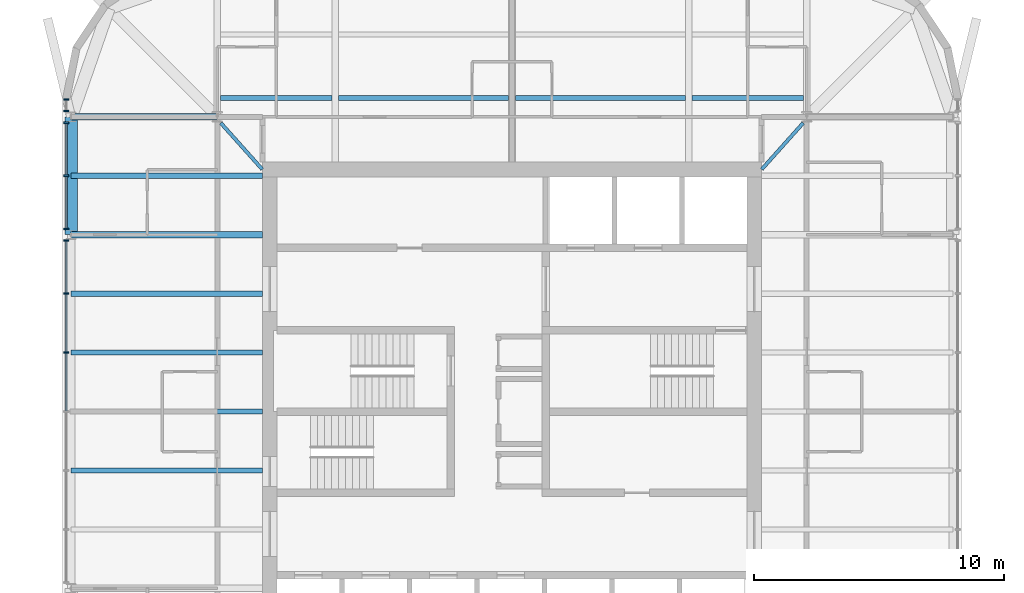
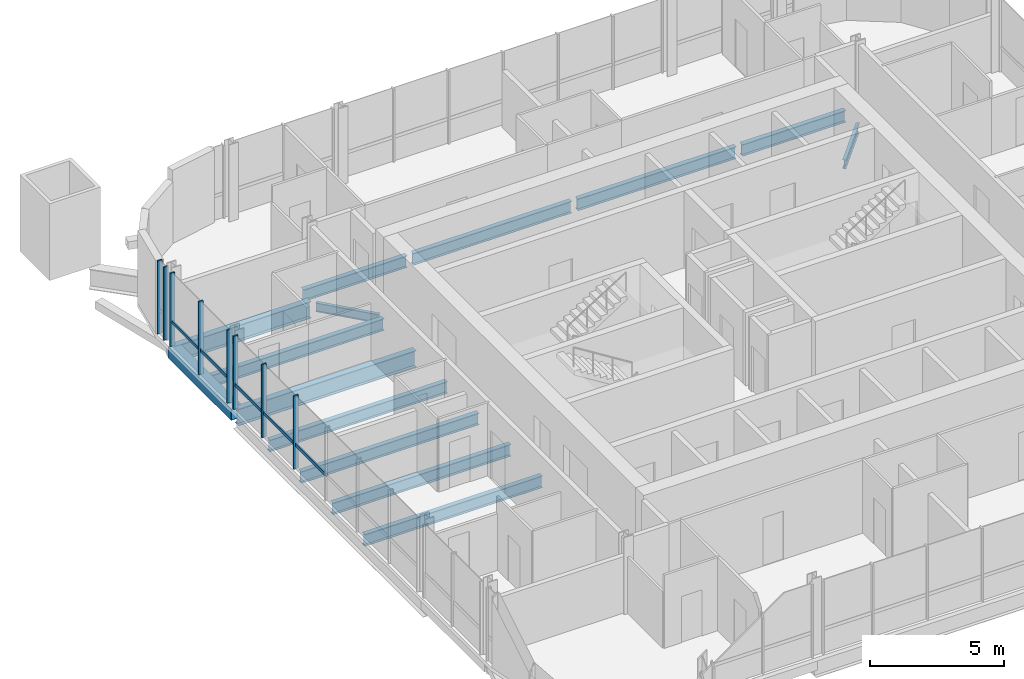
# One storey, part 3 of 16: 14 beams, 13 members, 3 elements without a shape of their own.
"""IFC4 building model written with IfcOpenShell, lengths in metres."""

import ifcopenshell
import ifcopenshell.guid

model = None  # the IFC model being written
_history = None  # IfcOwnerHistory: only IFC2X3 demands one
_inside = {}  # id of a spatial element -> (the spatial element, [elements in it])
_under = {}  # id of a project, library or spatial element -> (it, [spatial elements below it])
_declared = {}  # id of a project -> (the project, [libraries it declares])
_typed = {}  # id of a type object -> (the type object, [elements of that type])
_made_of = {}  # id of a material, layer set ... -> (it, [elements and type objects made of it])


def new_model(schema):
    """Start an empty IFC model of exactly this schema.

    Asked for "IFC4X3", IfcOpenShell would pick the latest addendum, in which some entities
    have other attributes; the version numbers below select the first issue.
    IFC2X3 requires an IfcOwnerHistory on every rooted entity: one is made here for all.
    """
    global model, _history
    if schema == "IFC4X3":
        model = ifcopenshell.file(schema_version=(4, 3, 0, 0))
    else:
        model = ifcopenshell.file(schema=schema)
    _inside.clear()
    _under.clear()
    _declared.clear()
    _typed.clear()
    _made_of.clear()
    _history = None
    if model.schema == "IFC2X3":
        org = make("IfcOrganization", Name="unknown")
        user = make(
            "IfcPersonAndOrganization",
            ThePerson=make("IfcPerson", FamilyName="unknown"),
            TheOrganization=org,
        )
        app = make(
            "IfcApplication",
            ApplicationDeveloper=org,
            Version="unknown",
            ApplicationFullName="unknown",
            ApplicationIdentifier="unknown",
        )
        _history = make(
            "IfcOwnerHistory",
            OwningUser=user,
            OwningApplication=app,
            ChangeAction="ADDED",
            CreationDate=0,
        )
    return model


def make(cls, **values):
    """One entity of the class cls with the attributes given. An attribute that is None is left unset."""
    return model.create_entity(
        cls, **{name: value for name, value in values.items() if value is not None}
    )


def rooted(cls, **values):
    """An entity with a GlobalId (a new one), such as an element, a storey or a relation."""
    return make(cls, GlobalId=ifcopenshell.guid.new(), OwnerHistory=_history, **values)


def si_unit(unit_type, name, prefix=None):
    """IfcSIUnit, for example si_unit("LENGTHUNIT", "METRE", prefix="MILLI")."""
    return make("IfcSIUnit", UnitType=unit_type, Prefix=prefix, Name=name)


def assignment(units):
    """IfcUnitAssignment: the units of a project."""
    return None if units is None else make("IfcUnitAssignment", Units=units)


def point(xyz):
    """IfcCartesianPoint."""
    return None if xyz is None else make("IfcCartesianPoint", Coordinates=xyz)


def direction(xyz):
    """IfcDirection."""
    return None if xyz is None else make("IfcDirection", DirectionRatios=xyz)


def frame(location, z_axis=None, x_axis=None):
    """IfcAxis2Placement3D, a coordinate frame: its origin and axes. An axis left out is left unset."""
    return make(
        "IfcAxis2Placement3D",
        Location=point(location),
        Axis=direction(z_axis),
        RefDirection=direction(x_axis),
    )


def frame_2d(location, x_axis=None):
    """IfcAxis2Placement2D, a coordinate frame in the plane: its origin and x axis."""
    return make(
        "IfcAxis2Placement2D", Location=point(location), RefDirection=direction(x_axis)
    )


def origin():
    """The frame at (0, 0, 0) with its axes left unset."""
    return frame((0.0, 0.0, 0.0))


def origin_2d():
    """The frame at (0, 0) in the plane with its x axis left unset."""
    return frame_2d((0.0, 0.0))


def place(relative_to, where):
    """IfcLocalPlacement: puts the frame where relative to a parent placement (None: the world)."""
    return make(
        "IfcLocalPlacement", PlacementRelTo=relative_to, RelativePlacement=where
    )


def context(
    kind, dimensions, precision=None, world=None, true_north=None, identifier=None
):
    """IfcGeometricRepresentationContext, for example the 3D "Model" context."""
    return make(
        "IfcGeometricRepresentationContext",
        ContextIdentifier=identifier,
        ContextType=kind,
        CoordinateSpaceDimension=dimensions,
        Precision=precision,
        WorldCoordinateSystem=world,
        TrueNorth=true_north,
    )


def subcontext(parent, identifier, kind, view, scale=None):
    """IfcGeometricRepresentationSubContext, for example "Body" below "Model"."""
    return make(
        "IfcGeometricRepresentationSubContext",
        ContextIdentifier=identifier,
        ContextType=kind,
        ParentContext=parent,
        TargetScale=scale,
        TargetView=view,
    )


def project(units=None, contexts=None):
    """IfcProject with its units and contexts."""
    return rooted(
        "IfcProject",
        Name="project",
        RepresentationContexts=contexts,
        UnitsInContext=assignment(units),
    )


def spatial(cls, under=None, at=None, **own):
    """A site, building, storey or space (cls), placed at a placement, below another one or the project."""
    s = rooted(cls, ObjectPlacement=at, **own)
    if under is not None:
        _under.setdefault(under.id(), (under, []))[1].append(s)
    return s


def profile(cls, at=None, kind="AREA", **sizes):
    """A parametric profile (cls). Its sizes go by their IFC names, for example OverallWidth=200.0."""
    return make(cls, ProfileType=kind, Position=at, **sizes)


def rectangle(**sizes):
    """IfcRectangleProfileDef."""
    return profile("IfcRectangleProfileDef", **sizes)


def hollow_rectangle(**sizes):
    """IfcRectangleHollowProfileDef."""
    return profile("IfcRectangleHollowProfileDef", **sizes)


def i_section(**sizes):
    """IfcIShapeProfileDef."""
    return profile("IfcIShapeProfileDef", **sizes)


def extrude(swept, where, along, depth):
    """IfcExtrudedAreaSolid: the profile swept, set in the frame where, extruded along a direction by depth."""
    return make(
        "IfcExtrudedAreaSolid",
        SweptArea=swept,
        Position=where,
        ExtrudedDirection=direction(along),
        Depth=depth,
    )


def shape(context_of_items, identifier, shape_type, items):
    """IfcShapeRepresentation: the items that make up one representation, for example the "Body"."""
    return make(
        "IfcShapeRepresentation",
        ContextOfItems=context_of_items,
        RepresentationIdentifier=identifier,
        RepresentationType=shape_type,
        Items=items,
    )


def material(Name=None, Category=None):
    """IfcMaterial."""
    return make("IfcMaterial", Name=Name, Category=Category)


def material_profile(
    of_material, cross_section, Name=None, Category=None, Priority=None
):
    """IfcMaterialProfile: a cross section and its material."""
    return make(
        "IfcMaterialProfile",
        Name=Name,
        Material=of_material,
        Profile=cross_section,
        Priority=Priority,
        Category=Category,
    )


def profile_set(profiles, Name=None, composite=None):
    """IfcMaterialProfileSet."""
    return make(
        "IfcMaterialProfileSet",
        Name=Name,
        MaterialProfiles=profiles,
        CompositeProfile=composite,
    )


def made_of(thing, what):
    """Note that an element or type object is made of a material, layer set ...; save() writes the relation."""
    if what is not None:
        _made_of.setdefault(what.id(), (what, []))[1].append(thing)
    return thing


def type_object(cls, material=None, **own):
    """A type object (cls), such as IfcWallType, which elements share."""
    return made_of(rooted(cls, **own), material)


def element(
    cls,
    number,
    at=None,
    inside=None,
    cuts=None,
    type_object=None,
    material=None,
    context=None,
    identifier="Body",
    shape_type=None,
    held_by="IfcProductDefinitionShape",
    body=None,
    shapes=None,
    **own,
):
    """One element of the class cls, such as IfcWall. Its Tag is "e" and its number.

    at: its placement. inside: the storey or other place that contains it. cuts: it is an
    opening in that element (IfcRelVoidsElement). A single representation is given by context,
    identifier, shape_type and body (its items); several are given by shapes. held_by: the class
    of the entity that holds the representations. save() writes the other relations.
    """
    e = rooted(cls, Tag="e%d" % number, ObjectPlacement=at, **own)
    if body is not None:
        shapes = [shape(context, identifier, shape_type, body)]
    if shapes is not None:
        e.Representation = make(held_by, Representations=shapes)
    if inside is not None:
        _inside.setdefault(inside.id(), (inside, []))[1].append(e)
    if cuts is not None:
        rooted(
            "IfcRelVoidsElement", RelatingBuildingElement=cuts, RelatedOpeningElement=e
        )
    if type_object is not None:
        _typed.setdefault(type_object.id(), (type_object, []))[1].append(e)
    return made_of(e, material)


def aggregate(whole, parts):
    """IfcRelAggregates: a whole, such as a stair, and the parts it consists of."""
    return rooted("IfcRelAggregates", RelatingObject=whole, RelatedObjects=parts)


def save(model, path):
    """Write the relations noted so far, then the file.

    IfcRelAggregates (storeys below a building ...), IfcRelContainedInSpatialStructure (elements
    in a storey), IfcRelDefinesByType, IfcRelAssociatesMaterial and IfcRelDeclares: one each for
    every whole, place, type object, material and project.
    """
    for whole, parts in _under.values():
        aggregate(whole, parts)
    for where, things in _inside.values():
        rooted(
            "IfcRelContainedInSpatialStructure",
            RelatedElements=things,
            RelatingStructure=where,
        )
    for kind, things in _typed.values():
        rooted("IfcRelDefinesByType", RelatedObjects=things, RelatingType=kind)
    for what, things in _made_of.values():
        rooted("IfcRelAssociatesMaterial", RelatedObjects=things, RelatingMaterial=what)
    for by, libraries in _declared.values():
        rooted("IfcRelDeclares", RelatingContext=by, RelatedDefinitions=libraries)
    model.write(path)


model = new_model("IFC4")

# Units and contexts
model_context = context("Model", 3, precision=1e-05, world=origin(), true_north=direction((0.0, 1.0)))
body_context = subcontext(model_context, "Body", "Model", "MODEL_VIEW")
ifc_project = project(units=[si_unit("LENGTHUNIT", "METRE"), si_unit("AREAUNIT", "SQUARE_METRE"), si_unit("VOLUMEUNIT", "CUBIC_METRE"), si_unit("PLANEANGLEUNIT", "RADIAN"), si_unit("MASSUNIT", "GRAM", prefix="KILO")], contexts=[model_context])

# Site, building, storey
site_placement = place(None, origin())
site = spatial("IfcSite", under=ifc_project, at=site_placement, CompositionType="ELEMENT")
building_placement = place(site_placement, origin())
building = spatial("IfcBuilding", under=site, at=building_placement, Name="Turquesa Mirador Hotel Tower", CompositionType="ELEMENT")
storey_placement = place(building_placement, frame((0.0, 0.0, 230.199951171875)))
storey = spatial("IfcBuildingStorey", under=building, at=storey_placement, Name="L62", CompositionType="ELEMENT", Elevation=230.199951171875)

# Beams
ifc_material_1 = material(Name="Steel ASTM A572 Grade 50", Category="steel")
ifc_material_profile_1 = material_profile(ifc_material_1, hollow_rectangle(XDim=0.5, YDim=0.5, WallThickness=0.01611328125, at=origin_2d()), Name="BOX500X500X16")
ifc_profile_set_1 = profile_set([ifc_material_profile_1], Name="Steel ASTM A572 Grade 50")
beam_type_1 = type_object("IfcBeamType", Name="BEAM BOX500X500X16", PredefinedType="BEAM", material=ifc_profile_set_1)
beam_1_placement = place(storey_placement, frame((37.35009765625, 52.080078125, -0.419921875), z_axis=(0.0, 1.0, 0.0), x_axis=(-1.0, 0.0, 0.0)))
element("IfcBeam", 1, at=beam_1_placement, inside=storey, type_object=beam_type_1, Name="EB-L62-W-R", PredefinedType="BEAM", context=body_context, shape_type="SweptSolid", body=[
    extrude(hollow_rectangle(XDim=0.5, YDim=0.5, WallThickness=0.01611328125, at=origin_2d()), origin(), (0.0, 0.0, 1.0), 4.719970703125),
])
ifc_material_2 = material(Name="Steel ASTM A992 Grade 50", Category="steel")
ifc_material_profile_2 = material_profile(ifc_material_2, i_section(OverallWidth=0.140380859375, OverallDepth=0.40380859375, WebThickness=0.007080078125, FlangeThickness=0.01123046875, at=origin_2d()), Name="W16X31")
ifc_profile_set_2 = profile_set([ifc_material_profile_2], Name="Steel ASTM A992 Grade 50")
beam_type_2 = type_object("IfcBeamType", Name="BEAM W16X31", PredefinedType="BEAM", material=ifc_profile_set_2)
for number, where, z_axis, x_axis, name in (
    (2, (66.656494140625, 56.55126953125, -0.371826171875), (-0.666806350186, -0.745231032198, 0.0), (0.745231032198, -0.666806350186, 0.0), "KT-L62-1"),
    (3, (43.343505859375, 56.55126953125, -0.371826171875), (0.666806350186, -0.745231032198, 0.0), (0.745231032198, 0.666806350186, 0.0), "KT-L62-2"),
):
    element("IfcBeam", number, at=place(storey_placement, frame(where, z_axis=z_axis, x_axis=x_axis)), inside=storey, type_object=beam_type_2, Name=name, PredefinedType="BEAM", context=body_context, shape_type="SweptSolid", body=[
        extrude(i_section(OverallWidth=0.140380859375, OverallDepth=0.40380859375, WebThickness=0.007080078125, FlangeThickness=0.01123046875, at=origin_2d()), origin(), (0.0, 0.0, 1.0), 2.484130859375),
    ])
ifc_material_3 = material(Name="Steel ASTM A992 Grade 50", Category="steel")
ifc_material_profile_3 = material_profile(ifc_material_3, i_section(OverallWidth=0.209228515625, OverallDepth=0.533447265625, WebThickness=0.01025390625, FlangeThickness=0.015625, at=origin_2d()), Name="W21X62")
ifc_profile_set_3 = profile_set([ifc_material_profile_3], Name="Steel ASTM A992 Grade 50")
beam_type_3 = type_object("IfcBeamType", Name="BEAM W21X62", PredefinedType="BEAM", material=ifc_profile_set_3)
beam_2_placement = place(storey_placement, frame((43.333251953125, 57.550048828125, -0.436767578125), z_axis=(1.0, 0.0, 0.0), x_axis=(0.0, 1.0, 0.0)))
element("IfcBeam", 4, at=beam_2_placement, inside=storey, type_object=beam_type_3, Name="IB-L62-N-1-0", PredefinedType="BEAM", context=body_context, shape_type="SweptSolid", body=[
    extrude(i_section(OverallWidth=0.209228515625, OverallDepth=0.533447265625, WebThickness=0.01025390625, FlangeThickness=0.015625, at=origin_2d()), origin(), (0.0, 0.0, 1.0), 4.453369140625),
])
for number, where, z_axis, x_axis, name in (
    (5, (48.053466796875, 57.550048828125, -0.436767578125), (1.0, 0.0, 0.0), (0.0, 1.0, 0.0), "IB-L62-N-1-1"),
    (6, (55.13330078125, 57.550048828125, -0.436767578125), (1.0, 0.0, 0.0), (0.0, 1.0, 0.0), "IB-L62-N-1-2"),
):
    element("IfcBeam", number, at=place(storey_placement, frame(where, z_axis=z_axis, x_axis=x_axis)), inside=storey, type_object=beam_type_3, Name=name, PredefinedType="BEAM", context=body_context, shape_type="SweptSolid", body=[
        extrude(i_section(OverallWidth=0.209228515625, OverallDepth=0.533447265625, WebThickness=0.01025390625, FlangeThickness=0.015625, at=origin_2d()), origin(), (0.0, 0.0, 1.0), 6.813232421875),
    ])
beam_3_placement = place(storey_placement, frame((62.21337890625, 57.550048828125, -0.436767578125), z_axis=(1.0, 0.0, 0.0), x_axis=(0.0, 1.0, 0.0)))
element("IfcBeam", 7, at=beam_3_placement, inside=storey, type_object=beam_type_3, Name="IB-L62-N-1-3", PredefinedType="BEAM", context=body_context, shape_type="SweptSolid", body=[
    extrude(i_section(OverallWidth=0.209228515625, OverallDepth=0.533447265625, WebThickness=0.01025390625, FlangeThickness=0.015625, at=origin_2d()), origin(), (0.0, 0.0, 1.0), 4.453369140625),
])
for number, where, z_axis, x_axis, name in (
    (8, (37.35009765625, 42.639892578125, -0.436767578125), (1.0, 0.0, 0.0), (0.0, 1.0, 0.0), "BM-L62-W--2.36"),
    (9, (37.35009765625, 45.0, -0.436767578125), (1.0, 0.0, 0.0), (0.0, 1.0, 0.0), "BM-L62-W-+0.00"),
    (10, (37.35009765625, 47.360107421875, -0.436767578125), (1.0, 0.0, 0.0), (0.0, 1.0, 0.0), "BM-L62-W-+2.36"),
    (11, (37.35009765625, 49.719970703125, -0.436767578125), (1.0, 0.0, 0.0), (0.0, 1.0, 0.0), "BM-L62-W-+4.72"),
    (12, (37.35009765625, 54.43994140625, -0.436767578125), (1.0, 0.0, 0.0), (0.0, 1.0, 0.0), "BM-L62-W-+9.44"),
):
    element("IfcBeam", number, at=place(storey_placement, frame(where, z_axis=z_axis, x_axis=x_axis)), inside=storey, type_object=beam_type_3, Name=name, PredefinedType="BEAM", context=body_context, shape_type="SweptSolid", body=[
        extrude(i_section(OverallWidth=0.209228515625, OverallDepth=0.533447265625, WebThickness=0.01025390625, FlangeThickness=0.015625, at=origin_2d()), origin(), (0.0, 0.0, 1.0), 7.64990234375),
    ])
ifc_material_4 = material(Name="Steel ASTM A992 Grade 50", Category="steel")
ifc_material_profile_4 = material_profile(ifc_material_4, i_section(OverallWidth=0.2666015625, OverallDepth=0.7568359375, WebThickness=0.013916015625, FlangeThickness=0.019287109375, at=origin_2d()), Name="W30X108")
ifc_profile_set_4 = profile_set([ifc_material_profile_4], Name="Steel ASTM A992 Grade 50")
beam_type_4 = type_object("IfcBeamType", Name="BEAM W30X108", PredefinedType="BEAM", material=ifc_profile_set_4)
beam_4_placement = place(storey_placement, frame((37.35009765625, 52.080078125, -0.54833984375), z_axis=(1.0, 0.0, 0.0), x_axis=(0.0, 1.0, 0.0)))
element("IfcBeam", 13, at=beam_4_placement, inside=storey, type_object=beam_type_4, Name="GD-L62-W-+7.08", PredefinedType="BEAM", context=body_context, shape_type="SweptSolid", body=[
    extrude(i_section(OverallWidth=0.2666015625, OverallDepth=0.7568359375, WebThickness=0.013916015625, FlangeThickness=0.019287109375, at=origin_2d()), origin(), (0.0, 0.0, 1.0), 7.64990234375),
])
beam_5_placement = place(storey_placement, frame((37.35009765625, 56.800048828125, -0.54833984375), z_axis=(1.0, 0.0, 0.0), x_axis=(0.0, 1.0, 0.0)))
element("IfcBeam", 14, at=beam_5_placement, inside=storey, type_object=beam_type_4, Name="GK-L62-W-+11.80", PredefinedType="BEAM", context=body_context, shape_type="SweptSolid", body=[
    extrude(i_section(OverallWidth=0.2666015625, OverallDepth=0.7568359375, WebThickness=0.013916015625, FlangeThickness=0.019287109375, at=origin_2d()), origin(), (0.0, 0.0, 1.0), 5.849853515625),
])

# Curtain wall, members
ifc_material_5 = material(Name="Aluminium extrusion", Category="aluminium")
curtain_wall_type = type_object("IfcCurtainWallType", Name="CW-4 SUITE FRITTED CURTAIN WALL", PredefinedType="USERDEFINED", material=ifc_material_5)
curtain_wall_1_placement = place(storey_placement, origin())
curtain_wall_1 = element("IfcCurtainWall", 15, at=curtain_wall_1_placement, inside=storey, type_object=curtain_wall_type, Name="CW-4 SUITE FRITTED CURTAIN WALL L62", ObjectType="CURTAIN WALL", PredefinedType="USERDEFINED")
ifc_material_6 = material(Name="Aluminium extrusion", Category="aluminium")
ifc_material_profile_5 = material_profile(ifc_material_6, rectangle(XDim=0.06494140625, YDim=0.199951171875, at=origin_2d()), Name="MULLION 65X200")
ifc_profile_set_5 = profile_set([ifc_material_profile_5], Name="Aluminium extrusion")
member_type_1 = type_object("IfcMemberType", Name="CW MULLION 65X200", PredefinedType="MULLION", material=ifc_profile_set_5)
member_1_placement = place(storey_placement, frame((37.14990234375, 57.5, 0.0), z_axis=(0.0, 0.0, 1.0), x_axis=(0.0, -1.0, 0.0)))
member_1 = element("IfcMember", 16, at=member_1_placement, type_object=member_type_1, Name="Mullion", PredefinedType="MULLION", context=body_context, shape_type="SweptSolid", body=[
    extrude(rectangle(XDim=0.06494140625, YDim=0.199951171875, at=origin_2d()), origin(), (0.0, 0.0, 1.0), 3.330078125),
])
member_2_placement = place(storey_placement, frame((37.14990234375, 57.033935546875, 0.0), z_axis=(0.0, 0.0, 1.0), x_axis=(0.0, -1.0, 0.0)))
member_2 = element("IfcMember", 17, at=member_2_placement, type_object=member_type_1, Name="Mullion", PredefinedType="MULLION", context=body_context, shape_type="SweptSolid", body=[
    extrude(rectangle(XDim=0.06494140625, YDim=0.199951171875, at=origin_2d()), origin(), (0.0, 0.0, 1.0), 3.330078125),
])
aggregate(curtain_wall_1, [member_1, member_2])

curtain_wall_2_placement = place(storey_placement, origin())
curtain_wall_2 = element("IfcCurtainWall", 18, at=curtain_wall_2_placement, inside=storey, type_object=curtain_wall_type, Name="CW-4 SUITE FRITTED CURTAIN WALL L62", ObjectType="CURTAIN WALL", PredefinedType="USERDEFINED")
member_3_placement = place(storey_placement, frame((37.14990234375, 56.566162109375, 0.0), z_axis=(0.0, 0.0, 1.0), x_axis=(0.0, -1.0, 0.0)))
member_3 = element("IfcMember", 19, at=member_3_placement, type_object=member_type_1, Name="Mullion", PredefinedType="MULLION", context=body_context, shape_type="SweptSolid", body=[
    extrude(rectangle(XDim=0.06494140625, YDim=0.199951171875, at=origin_2d()), origin(), (0.0, 0.0, 1.0), 3.330078125),
])
member_4_placement = place(storey_placement, frame((37.14990234375, 54.43994140625, 0.0), z_axis=(0.0, 0.0, 1.0), x_axis=(0.0, -1.0, 0.0)))
member_4 = element("IfcMember", 20, at=member_4_placement, type_object=member_type_1, Name="Mullion", PredefinedType="MULLION", context=body_context, shape_type="SweptSolid", body=[
    extrude(rectangle(XDim=0.06494140625, YDim=0.199951171875, at=origin_2d()), origin(), (0.0, 0.0, 1.0), 3.330078125),
])
member_5_placement = place(storey_placement, frame((37.14990234375, 52.31396484375, 0.0), z_axis=(0.0, 0.0, 1.0), x_axis=(0.0, -1.0, 0.0)))
member_5 = element("IfcMember", 21, at=member_5_placement, type_object=member_type_1, Name="Mullion", PredefinedType="MULLION", context=body_context, shape_type="SweptSolid", body=[
    extrude(rectangle(XDim=0.06494140625, YDim=0.199951171875, at=origin_2d()), origin(), (0.0, 0.0, 1.0), 3.330078125),
])

curtain_wall_3_placement = place(storey_placement, origin())
curtain_wall_3 = element("IfcCurtainWall", 22, at=curtain_wall_3_placement, inside=storey, type_object=curtain_wall_type, Name="CW-4 SUITE FRITTED CURTAIN WALL L62", ObjectType="CURTAIN WALL", PredefinedType="USERDEFINED")
member_6_placement = place(storey_placement, frame((37.14990234375, 51.84619140625, 0.0), z_axis=(0.0, 0.0, 1.0), x_axis=(0.0, -1.0, 0.0)))
member_6 = element("IfcMember", 23, at=member_6_placement, type_object=member_type_1, Name="Mullion", PredefinedType="MULLION", context=body_context, shape_type="SweptSolid", body=[
    extrude(rectangle(XDim=0.06494140625, YDim=0.199951171875, at=origin_2d()), origin(), (0.0, 0.0, 1.0), 3.330078125),
])
member_7_placement = place(storey_placement, frame((37.14990234375, 49.719970703125, 0.0), z_axis=(0.0, 0.0, 1.0), x_axis=(0.0, -1.0, 0.0)))
member_7 = element("IfcMember", 24, at=member_7_placement, type_object=member_type_1, Name="Mullion", PredefinedType="MULLION", context=body_context, shape_type="SweptSolid", body=[
    extrude(rectangle(XDim=0.06494140625, YDim=0.199951171875, at=origin_2d()), origin(), (0.0, 0.0, 1.0), 3.330078125),
])
member_8_placement = place(storey_placement, frame((37.14990234375, 47.360107421875, 0.0), z_axis=(0.0, 0.0, 1.0), x_axis=(0.0, -1.0, 0.0)))
member_8 = element("IfcMember", 25, at=member_8_placement, type_object=member_type_1, Name="Mullion", PredefinedType="MULLION", context=body_context, shape_type="SweptSolid", body=[
    extrude(rectangle(XDim=0.06494140625, YDim=0.199951171875, at=origin_2d()), origin(), (0.0, 0.0, 1.0), 3.330078125),
])

# Member
ifc_material_7 = material(Name="Aluminium extrusion", Category="aluminium")
ifc_material_profile_6 = material_profile(ifc_material_7, rectangle(XDim=0.06494140625, YDim=0.14990234375, at=origin_2d()), Name="TRANSOM 65X150")
ifc_profile_set_6 = profile_set([ifc_material_profile_6], Name="Aluminium extrusion")
member_type_2 = type_object("IfcMemberType", Name="CW TRANSOM 65X150", PredefinedType="USERDEFINED", material=ifc_profile_set_6)
member_9_placement = place(storey_placement, frame((37.14990234375, 56.53369140625, 1.10009765625), z_axis=(0.0, -1.0, 0.0), x_axis=(1.0, 0.0, 0.0)))
member_9 = element("IfcMember", 26, at=member_9_placement, type_object=member_type_2, Name="Transom", ObjectType="TRANSOM", PredefinedType="USERDEFINED", context=body_context, shape_type="SweptSolid", body=[
    extrude(rectangle(XDim=0.06494140625, YDim=0.14990234375, at=origin_2d()), origin(), (0.0, 0.0, 1.0), 2.061279296875),
])

member_10_placement = place(storey_placement, frame((37.14990234375, 54.407470703125, 1.10009765625), z_axis=(0.0, -1.0, 0.0), x_axis=(1.0, 0.0, 0.0)))
member_10 = element("IfcMember", 27, at=member_10_placement, type_object=member_type_2, Name="Transom", ObjectType="TRANSOM", PredefinedType="USERDEFINED", context=body_context, shape_type="SweptSolid", body=[
    extrude(rectangle(XDim=0.06494140625, YDim=0.14990234375, at=origin_2d()), origin(), (0.0, 0.0, 1.0), 2.06103515625),
])

aggregate(curtain_wall_2, [member_3, member_4, member_5, member_9, member_10])

member_11_placement = place(storey_placement, frame((37.14990234375, 51.813720703125, 1.10009765625), z_axis=(0.0, -1.0, 0.0), x_axis=(1.0, 0.0, 0.0)))
member_11 = element("IfcMember", 28, at=member_11_placement, type_object=member_type_2, Name="Transom", ObjectType="TRANSOM", PredefinedType="USERDEFINED", context=body_context, shape_type="SweptSolid", body=[
    extrude(rectangle(XDim=0.06494140625, YDim=0.14990234375, at=origin_2d()), origin(), (0.0, 0.0, 1.0), 2.061279296875),
])

member_12_placement = place(storey_placement, frame((37.14990234375, 49.6875, 1.10009765625), z_axis=(0.0, -1.0, 0.0), x_axis=(1.0, 0.0, 0.0)))
member_12 = element("IfcMember", 29, at=member_12_placement, type_object=member_type_2, Name="Transom", ObjectType="TRANSOM", PredefinedType="USERDEFINED", context=body_context, shape_type="SweptSolid", body=[
    extrude(rectangle(XDim=0.06494140625, YDim=0.14990234375, at=origin_2d()), origin(), (0.0, 0.0, 1.0), 2.294921875),
])

member_13_placement = place(storey_placement, frame((37.14990234375, 47.327392578125, 1.10009765625), z_axis=(0.0, -1.0, 0.0), x_axis=(1.0, 0.0, 0.0)))
member_13 = element("IfcMember", 30, at=member_13_placement, type_object=member_type_2, Name="Transom", ObjectType="TRANSOM", PredefinedType="USERDEFINED", context=body_context, shape_type="SweptSolid", body=[
    extrude(rectangle(XDim=0.06494140625, YDim=0.14990234375, at=origin_2d()), origin(), (0.0, 0.0, 1.0), 2.294921875),
])

aggregate(curtain_wall_3, [member_6, member_7, member_8, member_11, member_12, member_13])

save(model, "model.ifc")
